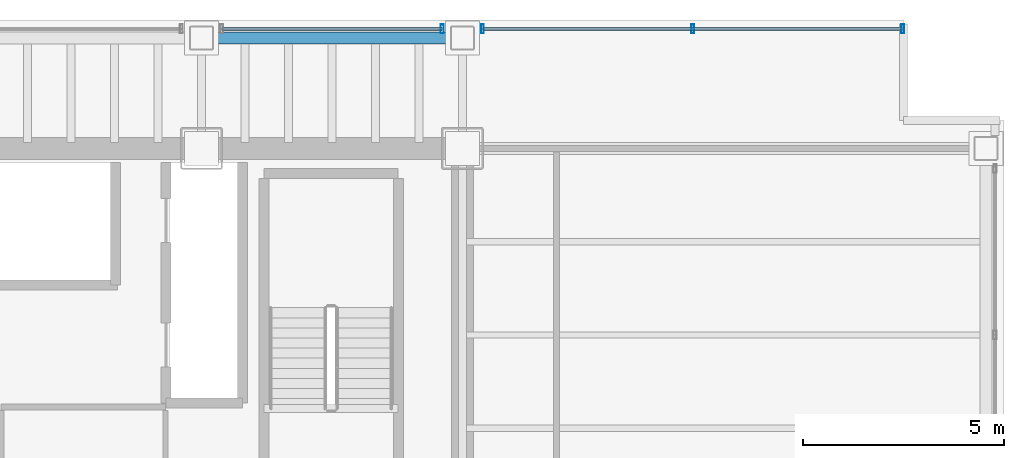
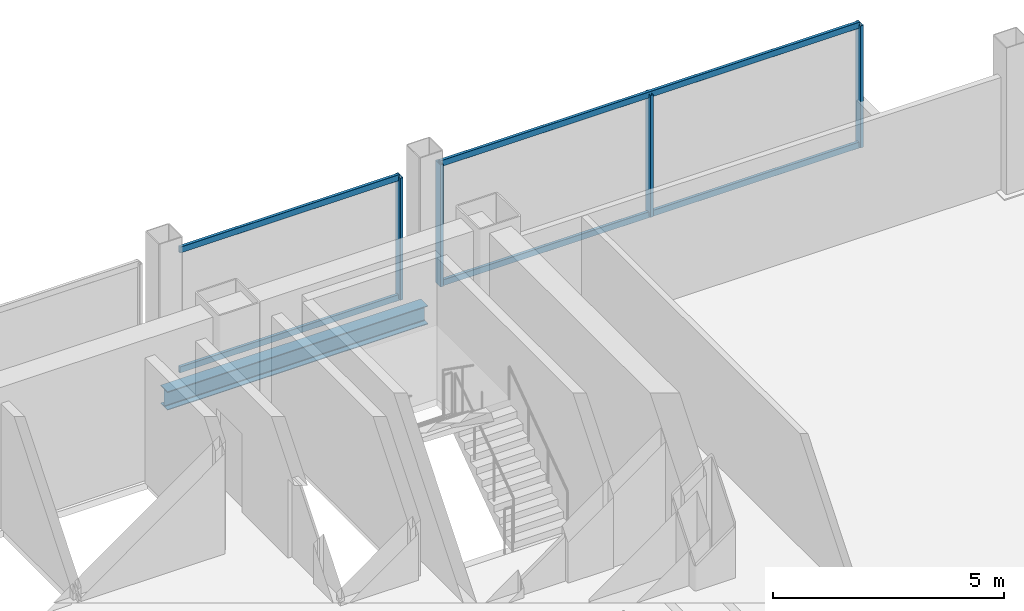
# One storey, part 16 of 22: 8 members, 1 beam, 2 elements without a shape of their own.
"""IFC4 building model written with IfcOpenShell, lengths in metres."""

from ifc_helpers import new_model, si_unit, direction, frame, origin, origin_2d, place, context, subcontext, project, spatial, hollow_rectangle, i_section, extrude, material, material_profile, profile_set, type_object, element, aggregate, save


model = new_model("IFC4")

# Units and contexts
model_context = context("Model", 3, precision=1e-05, world=origin(), true_north=direction((0.0, 1.0)))
body_context = subcontext(model_context, "Body", "Model", "MODEL_VIEW")
ifc_project = project(units=[si_unit("LENGTHUNIT", "METRE"), si_unit("AREAUNIT", "SQUARE_METRE"), si_unit("VOLUMEUNIT", "CUBIC_METRE"), si_unit("PLANEANGLEUNIT", "RADIAN"), si_unit("MASSUNIT", "GRAM", prefix="KILO")], contexts=[model_context])

# Site, building, storey
site_placement = place(None, origin())
site = spatial("IfcSite", under=ifc_project, at=site_placement, CompositionType="ELEMENT")
building_placement = place(site_placement, origin())
building = spatial("IfcBuilding", under=site, at=building_placement, Name="Noeulbin Bourse Tower", CompositionType="ELEMENT")
storey_placement = place(building_placement, frame((0.0, 0.0, 88.89990234375)))
storey = spatial("IfcBuildingStorey", under=building, at=storey_placement, Name="L22", CompositionType="ELEMENT", Elevation=88.89990234375)

# Beam
ifc_material_1 = material(Name="Steel S355", Category="steel")
ifc_material_profile_1 = material_profile(ifc_material_1, i_section(OverallWidth=0.300048828125, OverallDepth=0.488037109375, WebThickness=0.010986328125, FlangeThickness=0.01806640625, FilletRadius=0.02197265625, at=origin_2d()), Name="H-488x300x11x18", Category="LoadBearing")
ifc_profile_set_1 = profile_set([ifc_material_profile_1], Name="Steel S355")
beam_type = type_object("IfcBeamType", Name="BM-SPN-488", PredefinedType="SPANDREL", material=ifc_profile_set_1)
beam_placement = place(storey_placement, frame((37.5, 41.050048828125, -0.423828125), z_axis=(1.0, 0.0, 0.0), x_axis=(0.0, 1.0, 0.0)))
element("IfcBeam", 1, at=beam_placement, inside=storey, type_object=beam_type, Name="North Spandrel L22-4", PredefinedType="SPANDREL", context=body_context, shape_type="SweptSolid", body=[
    extrude(i_section(OverallWidth=0.300048828125, OverallDepth=0.488037109375, WebThickness=0.010986328125, FlangeThickness=0.01806640625, FilletRadius=0.02197265625, at=origin_2d()), origin(), (0.0, 0.0, 1.0), 6.5),
])

# Curtain wall, member
ifc_material_2 = material(Name="Dark Solar-Control Double Glazing", Category="glass")
curtain_wall_type = type_object("IfcCurtainWallType", Name="CW-SYS-2", PredefinedType="NOTDEFINED", material=ifc_material_2)
curtain_wall_1_placement = place(storey_placement, origin())
curtain_wall_1 = element("IfcCurtainWall", 2, at=curtain_wall_1_placement, inside=storey, type_object=curtain_wall_type, Name="Unitised Curtain Wall CW-L22-N-S5", PredefinedType="NOTDEFINED")
ifc_material_3 = material(Name="Anodised Aluminium 6063-T6", Category="aluminium")
ifc_material_profile_2 = material_profile(ifc_material_3, hollow_rectangle(XDim=0.074951171875, YDim=0.219970703125, WallThickness=0.0048828125, InnerFilletRadius=0.00244140625, OuterFilletRadius=0.0048828125, at=origin_2d()), Name="ALU-MULL-75x220x5", Category="LoadBearing")
ifc_profile_set_2 = profile_set([ifc_material_profile_2], Name="Anodised Aluminium 6063-T6")
member_type_1 = type_object("IfcMemberType", Name="CW-SYS-2-MUL", PredefinedType="MULLION", material=ifc_profile_set_2)
member_1_placement = place(storey_placement, frame((43.5, 41.280029296875, -0.02001953125), z_axis=(0.0, 0.0, 1.0), x_axis=(1.0, 0.0, 0.0)))
member_1 = element("IfcMember", 3, at=member_1_placement, type_object=member_type_1, Name="Curtain Wall Mullion CW-L22-N-S5-M01", PredefinedType="MULLION", context=body_context, shape_type="SweptSolid", body=[
    extrude(hollow_rectangle(XDim=0.074951171875, YDim=0.219970703125, WallThickness=0.0048828125, InnerFilletRadius=0.00244140625, OuterFilletRadius=0.0048828125, at=origin_2d()), origin(), (0.0, 0.0, 1.0), 3.22021484375),
])

# Curtain wall, members
curtain_wall_2_placement = place(storey_placement, origin())
curtain_wall_2 = element("IfcCurtainWall", 4, at=curtain_wall_2_placement, inside=storey, type_object=curtain_wall_type, Name="Unitised Curtain Wall CW-L22-N-S6", PredefinedType="NOTDEFINED")
member_2_placement = place(storey_placement, frame((44.5, 41.280029296875, -0.02001953125), z_axis=(0.0, 0.0, 1.0), x_axis=(1.0, 0.0, 0.0)))
member_2 = element("IfcMember", 5, at=member_2_placement, type_object=member_type_1, Name="Curtain Wall Mullion CW-L22-N-S6-M00", PredefinedType="MULLION", context=body_context, shape_type="SweptSolid", body=[
    extrude(hollow_rectangle(XDim=0.074951171875, YDim=0.219970703125, WallThickness=0.0048828125, InnerFilletRadius=0.00244140625, OuterFilletRadius=0.0048828125, at=origin_2d()), origin(), (0.0, 0.0, 1.0), 3.22021484375),
])
member_3_placement = place(storey_placement, frame((49.739990234375, 41.280029296875, -0.02001953125), z_axis=(0.0, 0.0, 1.0), x_axis=(1.0, 0.0, 0.0)))
member_3 = element("IfcMember", 6, at=member_3_placement, type_object=member_type_1, Name="Curtain Wall Mullion CW-L22-N-S6-M01", PredefinedType="MULLION", context=body_context, shape_type="SweptSolid", body=[
    extrude(hollow_rectangle(XDim=0.074951171875, YDim=0.219970703125, WallThickness=0.0048828125, InnerFilletRadius=0.00244140625, OuterFilletRadius=0.0048828125, at=origin_2d()), origin(), (0.0, 0.0, 1.0), 3.22021484375),
])
member_4_placement = place(storey_placement, frame((54.97998046875, 41.280029296875, -0.02001953125), z_axis=(0.0, 0.0, 1.0), x_axis=(1.0, 0.0, 0.0)))
member_4 = element("IfcMember", 7, at=member_4_placement, type_object=member_type_1, Name="Curtain Wall Mullion CW-L22-N-S6-M02", PredefinedType="MULLION", context=body_context, shape_type="SweptSolid", body=[
    extrude(hollow_rectangle(XDim=0.074951171875, YDim=0.219970703125, WallThickness=0.0048828125, InnerFilletRadius=0.00244140625, OuterFilletRadius=0.0048828125, at=origin_2d()), origin(), (0.0, 0.0, 1.0), 3.22021484375),
])

# Member
ifc_material_profile_3 = material_profile(ifc_material_3, hollow_rectangle(XDim=0.074951171875, YDim=0.159912109375, WallThickness=0.0048828125, InnerFilletRadius=0.00244140625, OuterFilletRadius=0.0048828125, at=origin_2d()), Name="ALU-TRAN-75x160x5", Category="LoadBearing")
ifc_profile_set_3 = profile_set([ifc_material_profile_3], Name="Anodised Aluminium 6063-T6")
member_type_2 = type_object("IfcMemberType", Name="CW-SYS-2-TRN", PredefinedType="USERDEFINED", material=ifc_profile_set_3)
member_5_placement = place(storey_placement, frame((38.010009765625, 41.280029296875, 0.010009765625), z_axis=(1.0, 0.0, 0.0), x_axis=(0.0, 1.0, 0.0)))
member_5 = element("IfcMember", 8, at=member_5_placement, type_object=member_type_2, Name="Curtain Wall Transom CW-L22-N-S5-T00", ObjectType="TRANSOM", PredefinedType="USERDEFINED", context=body_context, shape_type="SweptSolid", body=[
    extrude(hollow_rectangle(XDim=0.074951171875, YDim=0.159912109375, WallThickness=0.0048828125, InnerFilletRadius=0.00244140625, OuterFilletRadius=0.0048828125, at=origin_2d()), origin(), (0.0, 0.0, 1.0), 5.47998046875),
])

member_6_placement = place(storey_placement, frame((38.010009765625, 41.280029296875, 3.170166015625), z_axis=(1.0, 0.0, 0.0), x_axis=(0.0, 1.0, 0.0)))
member_6 = element("IfcMember", 9, at=member_6_placement, type_object=member_type_2, Name="Curtain Wall Transom CW-L22-N-S5-T01", ObjectType="TRANSOM", PredefinedType="USERDEFINED", context=body_context, shape_type="SweptSolid", body=[
    extrude(hollow_rectangle(XDim=0.074951171875, YDim=0.159912109375, WallThickness=0.0048828125, InnerFilletRadius=0.00244140625, OuterFilletRadius=0.0048828125, at=origin_2d()), origin(), (0.0, 0.0, 1.0), 5.47998046875),
])

aggregate(curtain_wall_1, [member_1, member_5, member_6])

member_7_placement = place(storey_placement, frame((44.510009765625, 41.280029296875, 0.010009765625), z_axis=(1.0, 0.0, 0.0), x_axis=(0.0, 1.0, 0.0)))
member_7 = element("IfcMember", 10, at=member_7_placement, type_object=member_type_2, Name="Curtain Wall Transom CW-L22-N-S6-T00", ObjectType="TRANSOM", PredefinedType="USERDEFINED", context=body_context, shape_type="SweptSolid", body=[
    extrude(hollow_rectangle(XDim=0.074951171875, YDim=0.159912109375, WallThickness=0.0048828125, InnerFilletRadius=0.00244140625, OuterFilletRadius=0.0048828125, at=origin_2d()), origin(), (0.0, 0.0, 1.0), 10.4599609375),
])

member_8_placement = place(storey_placement, frame((44.510009765625, 41.280029296875, 3.170166015625), z_axis=(1.0, 0.0, 0.0), x_axis=(0.0, 1.0, 0.0)))
member_8 = element("IfcMember", 11, at=member_8_placement, type_object=member_type_2, Name="Curtain Wall Transom CW-L22-N-S6-T01", ObjectType="TRANSOM", PredefinedType="USERDEFINED", context=body_context, shape_type="SweptSolid", body=[
    extrude(hollow_rectangle(XDim=0.074951171875, YDim=0.159912109375, WallThickness=0.0048828125, InnerFilletRadius=0.00244140625, OuterFilletRadius=0.0048828125, at=origin_2d()), origin(), (0.0, 0.0, 1.0), 10.4599609375),
])

aggregate(curtain_wall_2, [member_2, member_3, member_4, member_7, member_8])

save(model, "model.ifc")
